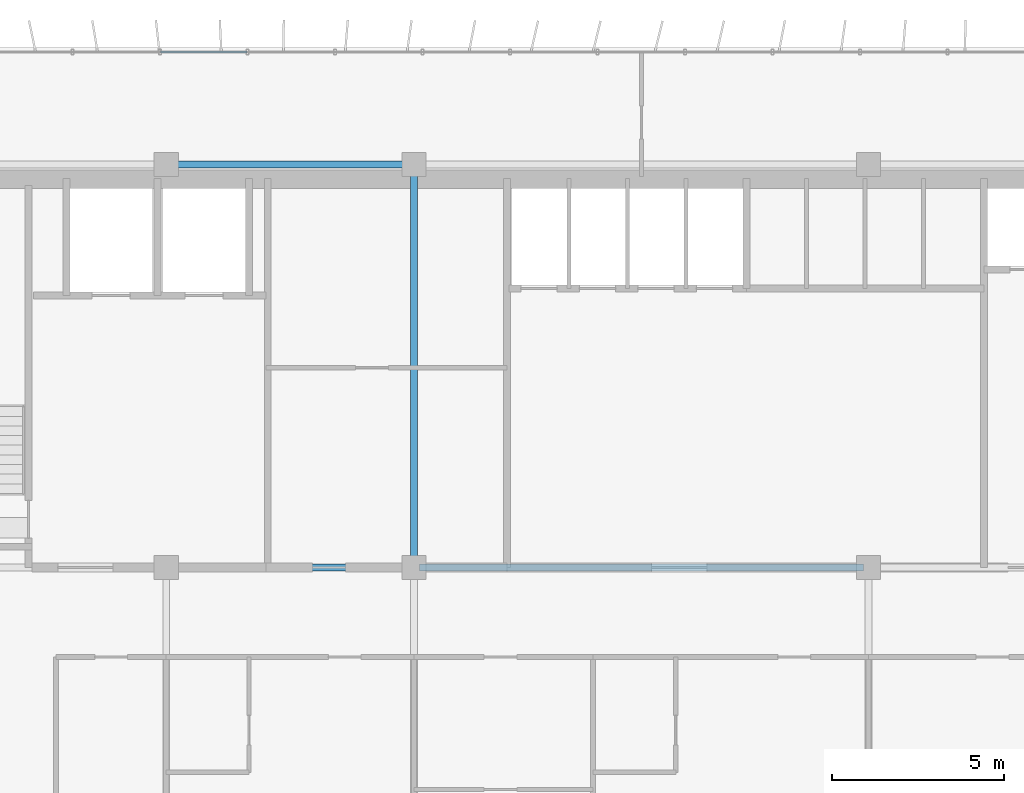
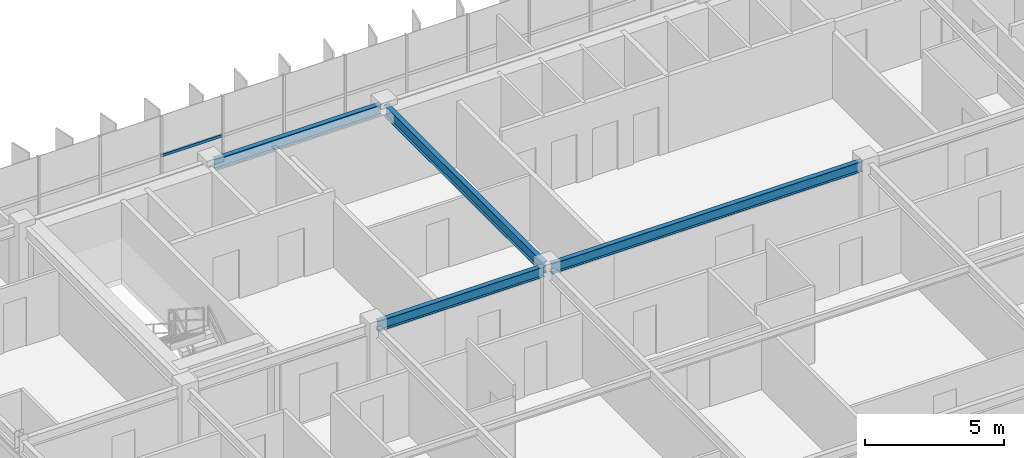
# One storey, part 7 of 23: 4 beams, 1 member, 1 element without a shape of its own.
"""IFC4 building model written with IfcOpenShell, lengths in metres."""

from ifc_helpers import new_model, si_unit, direction, frame, origin, origin_2d, place, context, subcontext, project, spatial, hollow_rectangle, i_section, extrude, source, transform, mapped, material, material_profile, profile_set, type_object, element, aggregate, save


model = new_model("IFC4")

# Units and contexts
model_context = context("Model", 3, precision=1e-05, world=origin(), true_north=direction((0.0, 1.0)))
body_context = subcontext(model_context, "Body", "Model", "MODEL_VIEW")
ifc_project = project(units=[si_unit("LENGTHUNIT", "METRE"), si_unit("AREAUNIT", "SQUARE_METRE"), si_unit("VOLUMEUNIT", "CUBIC_METRE"), si_unit("PLANEANGLEUNIT", "RADIAN"), si_unit("MASSUNIT", "GRAM", prefix="KILO")], contexts=[model_context])

# Site, building, storey
site_placement = place(None, origin())
site = spatial("IfcSite", under=ifc_project, at=site_placement, CompositionType="ELEMENT")
building_placement = place(site_placement, origin())
building = spatial("IfcBuilding", under=site, at=building_placement, Name="Trelvane Seafront Commons", CompositionType="ELEMENT")
storey_placement = place(building_placement, frame((0.0, 0.0, 212.10009765625)))
storey = spatial("IfcBuildingStorey", under=building, at=storey_placement, Name="L55", CompositionType="ELEMENT", Elevation=212.10009765625)

# Beams
ifc_material_1 = material(Name="Steel SM355 (S355)", Category="steel")
ifc_material_profile_1 = material_profile(ifc_material_1, i_section(OverallWidth=0.199951171875, OverallDepth=0.5, WebThickness=0.010009765625, FlangeThickness=0.01611328125, at=origin_2d()), Name="H-500x200x10x16")
ifc_profile_set_1 = profile_set([ifc_material_profile_1], Name="Steel SM355 (S355)")
beam_type_1 = type_object("IfcBeamType", Name="STR-BM-H500", PredefinedType="BEAM", material=ifc_profile_set_1)
shared_shape_1 = source(origin(), body_context, "Body", "SweptSolid", [
    extrude(i_section(OverallWidth=0.199951171875, OverallDepth=0.5, WebThickness=0.010009765625, FlangeThickness=0.01611328125, at=origin_2d()), origin(), (0.0, 0.0, 1.0), 11.39990234375),
])
beam_1_placement = place(storey_placement, frame((30.60009765625, 33.550048828125, 3.10986328125), z_axis=(0.0, 1.0, 0.0), x_axis=(-1.0, 0.0, 0.0)))
element("IfcBeam", 1, at=beam_1_placement, inside=storey, type_object=beam_type_1, Name="L55 Primary Girder G-40", PredefinedType="BEAM", context=body_context, shape_type="MappedRepresentation", body=[
    mapped(shared_shape_1, transform((0.0, 0.0, 0.0), x_axis=(1.0, 0.0, 0.0), y_axis=(0.0, 1.0, 0.0), z_axis=(0.0, 0.0, 1.0), scale=1.0)),
])
ifc_material_profile_2 = material_profile(ifc_material_1, i_section(OverallWidth=0.199951171875, OverallDepth=0.449951171875, WebThickness=0.009033203125, FlangeThickness=0.013916015625, at=origin_2d()), Name="H-450x200x9x14")
ifc_profile_set_2 = profile_set([ifc_material_profile_2], Name="Steel SM355 (S355)")
beam_type_2 = type_object("IfcBeamType", Name="STR-SPD-H450", PredefinedType="SPANDREL", material=ifc_profile_set_2)
shared_shape_2 = source(origin(), body_context, "Body", "SweptSolid", [
    extrude(i_section(OverallWidth=0.199951171875, OverallDepth=0.449951171875, WebThickness=0.009033203125, FlangeThickness=0.013916015625, at=origin_2d()), origin(), (0.0, 0.0, 1.0), 6.89990234375),
])
for number, where, z_axis, x_axis, name in (
    (2, (23.550048828125, 33.39990234375, 3.135009765625), (1.0, 0.0, 0.0), (0.0, 1.0, 0.0), "L55 Primary Girder G-17"),
    (3, (23.550048828125, 45.10009765625, 3.135009765625), (1.0, 0.0, 0.0), (0.0, 1.0, 0.0), "L55 Primary Girder G-24"),
):
    element("IfcBeam", number, at=place(storey_placement, frame(where, z_axis=z_axis, x_axis=x_axis)), inside=storey, type_object=beam_type_2, Name=name, PredefinedType="SPANDREL", context=body_context, shape_type="MappedRepresentation", body=[
        mapped(shared_shape_2, transform((0.0, 0.0, 0.0), x_axis=(1.0, 0.0, 0.0), y_axis=(0.0, 1.0, 0.0), z_axis=(0.0, 0.0, 1.0), scale=1.0)),
    ])
shared_shape_3 = source(origin(), body_context, "Body", "SweptSolid", [
    extrude(i_section(OverallWidth=0.199951171875, OverallDepth=0.449951171875, WebThickness=0.009033203125, FlangeThickness=0.013916015625, at=origin_2d()), origin(), (0.0, 0.0, 1.0), 12.89990234375),
])
beam_2_placement = place(storey_placement, frame((30.75, 33.39990234375, 3.135009765625), z_axis=(1.0, 0.0, 0.0), x_axis=(0.0, 1.0, 0.0)))
element("IfcBeam", 4, at=beam_2_placement, inside=storey, type_object=beam_type_2, Name="L55 Primary Girder G-18", PredefinedType="SPANDREL", context=body_context, shape_type="MappedRepresentation", body=[
    mapped(shared_shape_3, transform((0.0, 0.0, 0.0), x_axis=(1.0, 0.0, 0.0), y_axis=(0.0, 1.0, 0.0), z_axis=(0.0, 0.0, 1.0), scale=1.0)),
])

# Curtain wall, member
ifc_material_2 = material(Name="Anodised pale-silver aluminium", Category="aluminium")
curtain_wall_type = type_object("IfcCurtainWallType", Name="ARCH-CW5-UPTOWER", PredefinedType="NOTDEFINED", material=ifc_material_2)
curtain_wall_placement = place(storey_placement, origin())
curtain_wall = element("IfcCurtainWall", 5, at=curtain_wall_placement, inside=storey, type_object=curtain_wall_type, Name="CW-L55-0098", PredefinedType="NOTDEFINED")
ifc_material_profile_3 = material_profile(ifc_material_2, hollow_rectangle(XDim=0.070068359375, YDim=0.1201171875, WallThickness=0.00390625, at=origin_2d()), Name="TRAN-70x120x4")
ifc_profile_set_3 = profile_set([ifc_material_profile_3], Name="Anodised pale-silver aluminium")
member_type = type_object("IfcMemberType", Name="ARCH-CW-TRAN-120", PredefinedType="USERDEFINED", material=ifc_profile_set_3)
shared_shape_4 = source(origin(), body_context, "Body", "SweptSolid", [
    extrude(hollow_rectangle(XDim=0.070068359375, YDim=0.1201171875, WallThickness=0.00390625, at=origin_2d()), origin(), (0.0, 0.0, 1.0), 2.51708984375),
])
member_placement = place(storey_placement, frame((23.235595703125, 48.3701171875, 1.61279296875), z_axis=(1.0, 0.0, 0.0), x_axis=(0.0, 1.0, 0.0)))
member = element("IfcMember", 6, at=member_placement, type_object=member_type, Name="CW-L55-0098-T03", ObjectType="TRANSOM", PredefinedType="USERDEFINED", context=body_context, shape_type="MappedRepresentation", body=[
    mapped(shared_shape_4, transform((0.0, 0.0, 0.0), x_axis=(1.0, 0.0, 0.0), y_axis=(0.0, 1.0, 0.0), z_axis=(0.0, 0.0, 1.0), scale=1.0)),
])
aggregate(curtain_wall, [member])

save(model, "model.ifc")
